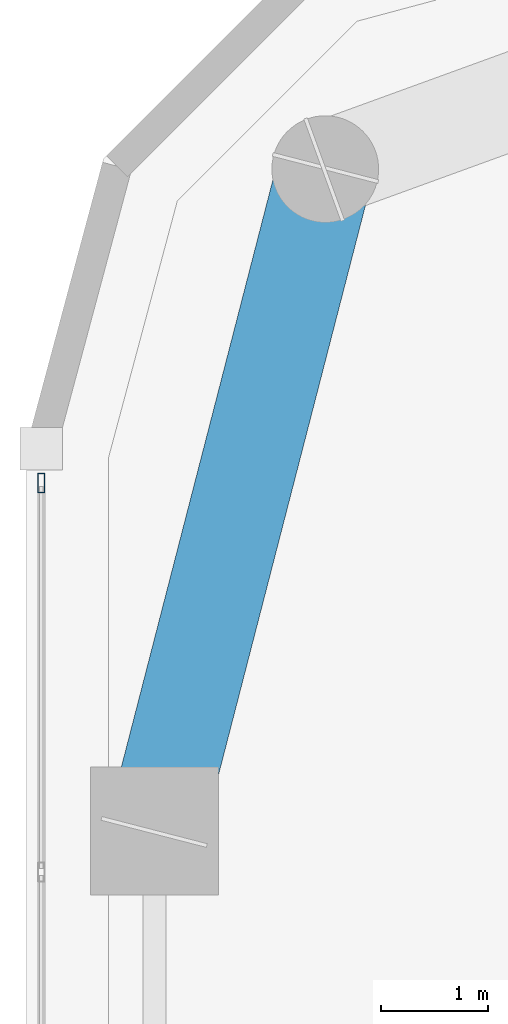
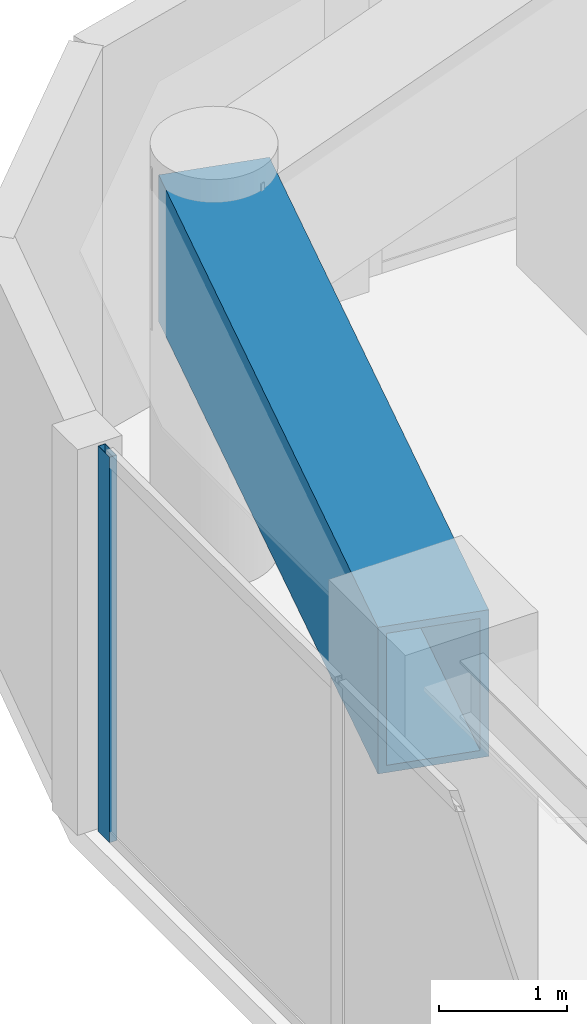
# One storey, part 15 of 30: 1 beam, 1 member, 1 element without a shape of its own.
"""IFC4 building model written with IfcOpenShell, lengths in metres."""

from ifc_helpers import new_model, si_unit, direction, frame, origin, origin_2d, place, context, subcontext, project, spatial, hollow_rectangle, extrude, material, layer, layer_set, material_profile, profile_set, type_object, element, aggregate, save


model = new_model("IFC4")

# Units and contexts
model_context = context("Model", 3, precision=1e-05, world=origin(), true_north=direction((0.0, 1.0)))
body_context = subcontext(model_context, "Body", "Model", "MODEL_VIEW")
ifc_project = project(units=[si_unit("LENGTHUNIT", "METRE"), si_unit("AREAUNIT", "SQUARE_METRE"), si_unit("VOLUMEUNIT", "CUBIC_METRE"), si_unit("PLANEANGLEUNIT", "RADIAN"), si_unit("MASSUNIT", "GRAM", prefix="KILO")], contexts=[model_context])

# Site, building, storey
site_placement = place(None, origin())
site = spatial("IfcSite", under=ifc_project, at=site_placement, CompositionType="ELEMENT")
building_placement = place(site_placement, origin())
building = spatial("IfcBuilding", under=site, at=building_placement, Name="Kiyonajd Concourse Tower", CompositionType="ELEMENT")
storey_placement = place(building_placement, frame((0.0, 0.0, 166.199951171875)))
storey = spatial("IfcBuildingStorey", under=building, at=storey_placement, Name="L42", CompositionType="ELEMENT", Elevation=166.199951171875)

# Beam
ifc_material_1 = material(Name="Steel ASTM A572 Grade 50", Category="steel")
ifc_material_profile_1 = material_profile(ifc_material_1, hollow_rectangle(XDim=0.89990234375, YDim=1.39990234375, WallThickness=0.070068359375, at=origin_2d()), Name="BOX-1400x900x70")
ifc_profile_set_1 = profile_set([ifc_material_profile_1], Name="Steel ASTM A572 Grade 50")
beam_type = type_object("IfcBeamType", Name="BM-XFER-1400", PredefinedType="BEAM", material=ifc_profile_set_1)
beam_placement = place(storey_placement, frame((20.800048828125, 59.60009765625, 2.97998046875), z_axis=(-0.249884937687, -0.968275538221, 0.0), x_axis=(0.968275538221, -0.249884937687, 0.0)))
element("IfcBeam", 1, at=beam_placement, inside=storey, type_object=beam_type, Name="L42 Perimeter Bundled Tube Spandrel", PredefinedType="BEAM", context=body_context, shape_type="SweptSolid", body=[
    extrude(hollow_rectangle(XDim=0.89990234375, YDim=1.39990234375, WallThickness=0.070068359375, at=origin_2d()), origin(), (0.0, 0.0, 1.0), 6.4033203125),
])

# Curtain wall, member
ifc_material_2 = material(Name="Thermally Broken Anodised Aluminium", Category="aluminium")
ifc_layer = layer(ifc_material_2, 0.179931640625)
ifc_layer_set = layer_set([ifc_layer], Name="Thermally Broken Anodised Aluminium")
curtain_wall_type = type_object("IfcCurtainWallType", Name="CW-SYS-03", PredefinedType="NOTDEFINED", material=ifc_layer_set)
curtain_wall_placement = place(storey_placement, origin())
curtain_wall = element("IfcCurtainWall", 2, at=curtain_wall_placement, inside=storey, type_object=curtain_wall_type, Name="L42 Unitised Curtain Wall CW3", PredefinedType="NOTDEFINED")
ifc_material_profile_2 = material_profile(ifc_material_2, hollow_rectangle(XDim=0.06494140625, YDim=0.179931640625, WallThickness=0.00390625, at=origin_2d()), Name="MULL-65x180")
ifc_profile_set_2 = profile_set([ifc_material_profile_2], Name="Thermally Broken Anodised Aluminium")
member_type = type_object("IfcMemberType", Name="MB-CW-MULL1", PredefinedType="MULLION", material=ifc_profile_set_2)
member_placement = place(storey_placement, frame((18.139892578125, 56.6591796875, 0.0), z_axis=(0.0, 0.0, 1.0), x_axis=(-1.0, 0.0, 0.0)))
member = element("IfcMember", 3, at=member_placement, type_object=member_type, Name="CW3 mullion 7", PredefinedType="MULLION", context=body_context, shape_type="SweptSolid", body=[
    extrude(hollow_rectangle(XDim=0.06494140625, YDim=0.179931640625, WallThickness=0.00390625, at=origin_2d()), origin(), (0.0, 0.0, 1.0), 3.679931640625),
])
aggregate(curtain_wall, [member])

save(model, "model.ifc")
